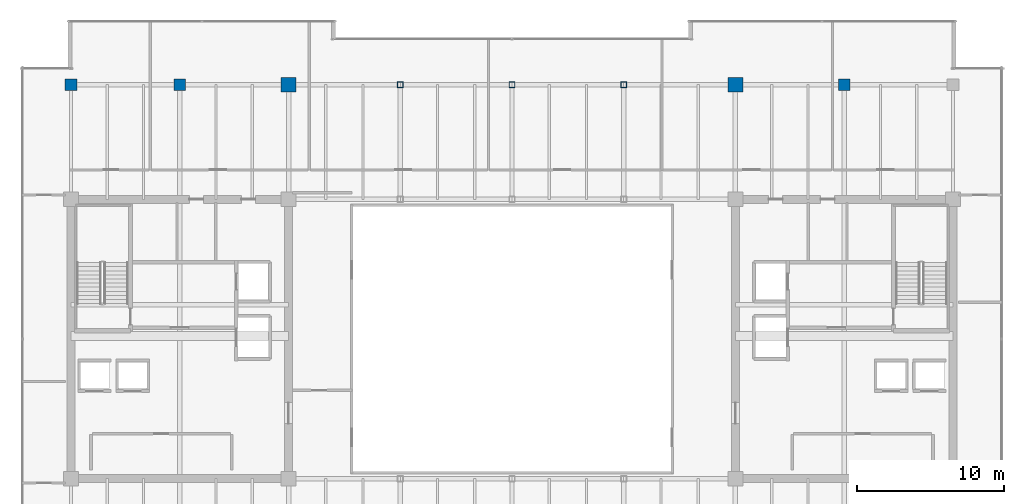
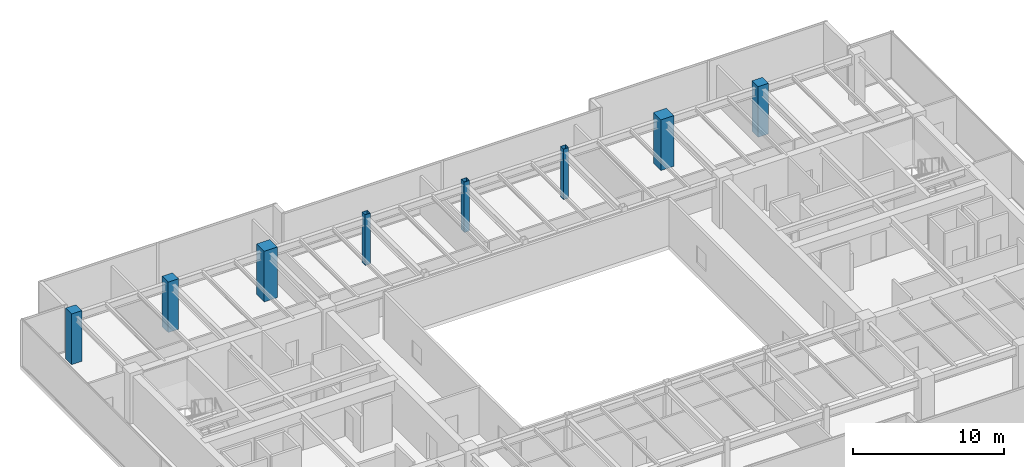
# One storey, part 3 of 33: 8 columns.
"""IFC4 building model written with IfcOpenShell, lengths in metres."""

import ifcopenshell
import ifcopenshell.guid

model = None  # the IFC model being written
_history = None  # IfcOwnerHistory: only IFC2X3 demands one
_inside = {}  # id of a spatial element -> (the spatial element, [elements in it])
_under = {}  # id of a project, library or spatial element -> (it, [spatial elements below it])
_declared = {}  # id of a project -> (the project, [libraries it declares])
_typed = {}  # id of a type object -> (the type object, [elements of that type])
_made_of = {}  # id of a material, layer set ... -> (it, [elements and type objects made of it])


def new_model(schema):
    """Start an empty IFC model of exactly this schema.

    Asked for "IFC4X3", IfcOpenShell would pick the latest addendum, in which some entities
    have other attributes; the version numbers below select the first issue.
    IFC2X3 requires an IfcOwnerHistory on every rooted entity: one is made here for all.
    """
    global model, _history
    if schema == "IFC4X3":
        model = ifcopenshell.file(schema_version=(4, 3, 0, 0))
    else:
        model = ifcopenshell.file(schema=schema)
    _inside.clear()
    _under.clear()
    _declared.clear()
    _typed.clear()
    _made_of.clear()
    _history = None
    if model.schema == "IFC2X3":
        org = make("IfcOrganization", Name="unknown")
        user = make(
            "IfcPersonAndOrganization",
            ThePerson=make("IfcPerson", FamilyName="unknown"),
            TheOrganization=org,
        )
        app = make(
            "IfcApplication",
            ApplicationDeveloper=org,
            Version="unknown",
            ApplicationFullName="unknown",
            ApplicationIdentifier="unknown",
        )
        _history = make(
            "IfcOwnerHistory",
            OwningUser=user,
            OwningApplication=app,
            ChangeAction="ADDED",
            CreationDate=0,
        )
    return model


def make(cls, **values):
    """One entity of the class cls with the attributes given. An attribute that is None is left unset."""
    return model.create_entity(
        cls, **{name: value for name, value in values.items() if value is not None}
    )


def rooted(cls, **values):
    """An entity with a GlobalId (a new one), such as an element, a storey or a relation."""
    return make(cls, GlobalId=ifcopenshell.guid.new(), OwnerHistory=_history, **values)


def si_unit(unit_type, name, prefix=None):
    """IfcSIUnit, for example si_unit("LENGTHUNIT", "METRE", prefix="MILLI")."""
    return make("IfcSIUnit", UnitType=unit_type, Prefix=prefix, Name=name)


def assignment(units):
    """IfcUnitAssignment: the units of a project."""
    return None if units is None else make("IfcUnitAssignment", Units=units)


def point(xyz):
    """IfcCartesianPoint."""
    return None if xyz is None else make("IfcCartesianPoint", Coordinates=xyz)


def direction(xyz):
    """IfcDirection."""
    return None if xyz is None else make("IfcDirection", DirectionRatios=xyz)


def frame(location, z_axis=None, x_axis=None):
    """IfcAxis2Placement3D, a coordinate frame: its origin and axes. An axis left out is left unset."""
    return make(
        "IfcAxis2Placement3D",
        Location=point(location),
        Axis=direction(z_axis),
        RefDirection=direction(x_axis),
    )


def frame_2d(location, x_axis=None):
    """IfcAxis2Placement2D, a coordinate frame in the plane: its origin and x axis."""
    return make(
        "IfcAxis2Placement2D", Location=point(location), RefDirection=direction(x_axis)
    )


def origin():
    """The frame at (0, 0, 0) with its axes left unset."""
    return frame((0.0, 0.0, 0.0))


def origin_2d():
    """The frame at (0, 0) in the plane with its x axis left unset."""
    return frame_2d((0.0, 0.0))


def place(relative_to, where):
    """IfcLocalPlacement: puts the frame where relative to a parent placement (None: the world)."""
    return make(
        "IfcLocalPlacement", PlacementRelTo=relative_to, RelativePlacement=where
    )


def context(
    kind, dimensions, precision=None, world=None, true_north=None, identifier=None
):
    """IfcGeometricRepresentationContext, for example the 3D "Model" context."""
    return make(
        "IfcGeometricRepresentationContext",
        ContextIdentifier=identifier,
        ContextType=kind,
        CoordinateSpaceDimension=dimensions,
        Precision=precision,
        WorldCoordinateSystem=world,
        TrueNorth=true_north,
    )


def subcontext(parent, identifier, kind, view, scale=None):
    """IfcGeometricRepresentationSubContext, for example "Body" below "Model"."""
    return make(
        "IfcGeometricRepresentationSubContext",
        ContextIdentifier=identifier,
        ContextType=kind,
        ParentContext=parent,
        TargetScale=scale,
        TargetView=view,
    )


def project(units=None, contexts=None):
    """IfcProject with its units and contexts."""
    return rooted(
        "IfcProject",
        Name="project",
        RepresentationContexts=contexts,
        UnitsInContext=assignment(units),
    )


def spatial(cls, under=None, at=None, **own):
    """A site, building, storey or space (cls), placed at a placement, below another one or the project."""
    s = rooted(cls, ObjectPlacement=at, **own)
    if under is not None:
        _under.setdefault(under.id(), (under, []))[1].append(s)
    return s


def profile(cls, at=None, kind="AREA", **sizes):
    """A parametric profile (cls). Its sizes go by their IFC names, for example OverallWidth=200.0."""
    return make(cls, ProfileType=kind, Position=at, **sizes)


def rectangle(**sizes):
    """IfcRectangleProfileDef."""
    return profile("IfcRectangleProfileDef", **sizes)


def hollow_rectangle(**sizes):
    """IfcRectangleHollowProfileDef."""
    return profile("IfcRectangleHollowProfileDef", **sizes)


def extrude(swept, where, along, depth):
    """IfcExtrudedAreaSolid: the profile swept, set in the frame where, extruded along a direction by depth."""
    return make(
        "IfcExtrudedAreaSolid",
        SweptArea=swept,
        Position=where,
        ExtrudedDirection=direction(along),
        Depth=depth,
    )


def shape(context_of_items, identifier, shape_type, items):
    """IfcShapeRepresentation: the items that make up one representation, for example the "Body"."""
    return make(
        "IfcShapeRepresentation",
        ContextOfItems=context_of_items,
        RepresentationIdentifier=identifier,
        RepresentationType=shape_type,
        Items=items,
    )


def source(mapping_origin, context_of_items, identifier, shape_type, items):
    """IfcRepresentationMap: a shape defined once, which mapped items show again and again."""
    return make(
        "IfcRepresentationMap",
        MappingOrigin=mapping_origin,
        MappedRepresentation=shape(context_of_items, identifier, shape_type, items),
    )


def transform(
    local_origin,
    x_axis=None,
    y_axis=None,
    z_axis=None,
    scale=None,
    scale2=None,
    scale3=None,
    uniform=True,
):
    """IfcCartesianTransformationOperator3D, or its non-uniform kind. x_axis, y_axis, z_axis: its Axis1, 2, 3."""
    if uniform:
        return make(
            "IfcCartesianTransformationOperator3D",
            Axis1=direction(x_axis),
            Axis2=direction(y_axis),
            LocalOrigin=point(local_origin),
            Scale=scale,
            Axis3=direction(z_axis),
        )
    return make(
        "IfcCartesianTransformationOperator3DnonUniform",
        Axis1=direction(x_axis),
        Axis2=direction(y_axis),
        LocalOrigin=point(local_origin),
        Scale=scale,
        Axis3=direction(z_axis),
        Scale2=scale2,
        Scale3=scale3,
    )


def mapped(mapping_source, mapping_target):
    """IfcMappedItem: shows the shape of a source again, moved by a transform."""
    return make(
        "IfcMappedItem", MappingSource=mapping_source, MappingTarget=mapping_target
    )


def material(Name=None, Category=None):
    """IfcMaterial."""
    return make("IfcMaterial", Name=Name, Category=Category)


def material_profile(
    of_material, cross_section, Name=None, Category=None, Priority=None
):
    """IfcMaterialProfile: a cross section and its material."""
    return make(
        "IfcMaterialProfile",
        Name=Name,
        Material=of_material,
        Profile=cross_section,
        Priority=Priority,
        Category=Category,
    )


def profile_set(profiles, Name=None, composite=None):
    """IfcMaterialProfileSet."""
    return make(
        "IfcMaterialProfileSet",
        Name=Name,
        MaterialProfiles=profiles,
        CompositeProfile=composite,
    )


def made_of(thing, what):
    """Note that an element or type object is made of a material, layer set ...; save() writes the relation."""
    if what is not None:
        _made_of.setdefault(what.id(), (what, []))[1].append(thing)
    return thing


def type_object(cls, material=None, **own):
    """A type object (cls), such as IfcWallType, which elements share."""
    return made_of(rooted(cls, **own), material)


def type_shapes(of_type, sources):
    """Give a type object the sources (RepresentationMaps) that its elements show as mapped items."""
    of_type.RepresentationMaps = sources


def element(
    cls,
    number,
    at=None,
    inside=None,
    cuts=None,
    type_object=None,
    material=None,
    context=None,
    identifier="Body",
    shape_type=None,
    held_by="IfcProductDefinitionShape",
    body=None,
    shapes=None,
    **own,
):
    """One element of the class cls, such as IfcWall. Its Tag is "e" and its number.

    at: its placement. inside: the storey or other place that contains it. cuts: it is an
    opening in that element (IfcRelVoidsElement). A single representation is given by context,
    identifier, shape_type and body (its items); several are given by shapes. held_by: the class
    of the entity that holds the representations. save() writes the other relations.
    """
    e = rooted(cls, Tag="e%d" % number, ObjectPlacement=at, **own)
    if body is not None:
        shapes = [shape(context, identifier, shape_type, body)]
    if shapes is not None:
        e.Representation = make(held_by, Representations=shapes)
    if inside is not None:
        _inside.setdefault(inside.id(), (inside, []))[1].append(e)
    if cuts is not None:
        rooted(
            "IfcRelVoidsElement", RelatingBuildingElement=cuts, RelatedOpeningElement=e
        )
    if type_object is not None:
        _typed.setdefault(type_object.id(), (type_object, []))[1].append(e)
    return made_of(e, material)


def aggregate(whole, parts):
    """IfcRelAggregates: a whole, such as a stair, and the parts it consists of."""
    return rooted("IfcRelAggregates", RelatingObject=whole, RelatedObjects=parts)


def save(model, path):
    """Write the relations noted so far, then the file.

    IfcRelAggregates (storeys below a building ...), IfcRelContainedInSpatialStructure (elements
    in a storey), IfcRelDefinesByType, IfcRelAssociatesMaterial and IfcRelDeclares: one each for
    every whole, place, type object, material and project.
    """
    for whole, parts in _under.values():
        aggregate(whole, parts)
    for where, things in _inside.values():
        rooted(
            "IfcRelContainedInSpatialStructure",
            RelatedElements=things,
            RelatingStructure=where,
        )
    for kind, things in _typed.values():
        rooted("IfcRelDefinesByType", RelatedObjects=things, RelatingType=kind)
    for what, things in _made_of.values():
        rooted("IfcRelAssociatesMaterial", RelatedObjects=things, RelatingMaterial=what)
    for by, libraries in _declared.values():
        rooted("IfcRelDeclares", RelatingContext=by, RelatedDefinitions=libraries)
    model.write(path)


model = new_model("IFC4")

# Units and contexts
model_context = context("Model", 3, precision=1e-05, world=origin(), true_north=direction((0.0, 1.0)))
body_context = subcontext(model_context, "Body", "Model", "MODEL_VIEW")
ifc_project = project(units=[si_unit("LENGTHUNIT", "METRE"), si_unit("AREAUNIT", "SQUARE_METRE"), si_unit("VOLUMEUNIT", "CUBIC_METRE"), si_unit("PLANEANGLEUNIT", "RADIAN"), si_unit("MASSUNIT", "GRAM", prefix="KILO")], contexts=[model_context])

# Site, building, storey
site_placement = place(None, origin())
site = spatial("IfcSite", under=ifc_project, at=site_placement, CompositionType="ELEMENT")
building_placement = place(site_placement, origin())
building = spatial("IfcBuilding", under=site, at=building_placement, Name="Haelvirn Gate Laboratories", CompositionType="ELEMENT")
storey_placement = place(building_placement, frame((0.0, 0.0, 230.10009765625)))
storey = spatial("IfcBuildingStorey", under=building, at=storey_placement, Name="L55", CompositionType="ELEMENT", Elevation=230.10009765625)

# Columns
ifc_material_1 = material(Name="Concrete C60/75", Category="concrete")
ifc_material_profile_1 = material_profile(ifc_material_1, rectangle(XDim=1.0, YDim=1.0, at=origin_2d()), Name="RC-1000x1000")
ifc_profile_set_1 = profile_set([ifc_material_profile_1], Name="Concrete C60/75")
column_type_1 = type_object("IfcColumnType", Name="COL-RC-1000", PredefinedType="COLUMN", material=ifc_profile_set_1)
shared_shape_1 = source(origin(), body_context, "Body", "SweptSolid", [
    extrude(rectangle(XDim=1.0, YDim=1.0, at=origin_2d()), origin(), (0.0, 0.0, 1.0), 4.099853515625),
])
type_shapes(column_type_1, [shared_shape_1])
for number, where, z_axis, x_axis, name in (
    (1, (22.199951171875, 41.60009765625, 0.0), (0.0, 0.0, 1.0), (1.0, 0.0, 0.0), "L55 Column 4G"),
    (2, (52.60009765625, 41.60009765625, 0.0), (0.0, 0.0, 1.0), (1.0, 0.0, 0.0), "L55 Column 8G"),
):
    element("IfcColumn", number, at=place(storey_placement, frame(where, z_axis=z_axis, x_axis=x_axis)), inside=storey, type_object=column_type_1, Name=name, PredefinedType="COLUMN", context=body_context, shape_type="MappedRepresentation", body=[
        mapped(shared_shape_1, transform((0.0, 0.0, 0.0), scale=1.0)),
    ])
ifc_material_2 = material(Name="Concrete C50/60", Category="concrete")
ifc_material_profile_2 = material_profile(ifc_material_2, rectangle(XDim=0.800048828125, YDim=0.800048828125, at=origin_2d()), Name="RC-800x800")
ifc_profile_set_2 = profile_set([ifc_material_profile_2], Name="Concrete C50/60")
column_type_2 = type_object("IfcColumnType", Name="COL-RC-800", PredefinedType="COLUMN", material=ifc_profile_set_2)
shared_shape_2 = source(origin(), body_context, "Body", "SweptSolid", [
    extrude(rectangle(XDim=0.800048828125, YDim=0.800048828125, at=origin_2d()), origin(), (0.0, 0.0, 1.0), 4.099853515625),
])
type_shapes(column_type_2, [shared_shape_2])
for number, where, z_axis, x_axis, name in (
    (3, (14.800048828125, 41.60009765625, 0.0), (0.0, 0.0, 1.0), (1.0, 0.0, 0.0), "L55 Column 3G"),
    (4, (60.0, 41.60009765625, 0.0), (0.0, 0.0, 1.0), (1.0, 0.0, 0.0), "L55 Column 9G"),
    (5, (7.39990234375, 41.60009765625, 0.0), (0.0, 0.0, 1.0), (1.0, 0.0, 0.0), "L55 Column 2G"),
):
    element("IfcColumn", number, at=place(storey_placement, frame(where, z_axis=z_axis, x_axis=x_axis)), inside=storey, type_object=column_type_2, Name=name, PredefinedType="COLUMN", context=body_context, shape_type="MappedRepresentation", body=[
        mapped(shared_shape_2, transform((0.0, 0.0, 0.0), scale=1.0)),
    ])
ifc_material_3 = material(Name="Steel SM355", Category="steel")
ifc_material_profile_3 = material_profile(ifc_material_3, hollow_rectangle(XDim=0.39990234375, YDim=0.39990234375, WallThickness=0.01904296875, at=origin_2d()), Name="BOX-400x400x19")
ifc_profile_set_3 = profile_set([ifc_material_profile_3], Name="Steel SM355")
column_type_3 = type_object("IfcColumnType", Name="COL-BOX-400", PredefinedType="COLUMN", material=ifc_profile_set_3)
shared_shape_3 = source(origin(), body_context, "Body", "SweptSolid", [
    extrude(hollow_rectangle(XDim=0.39990234375, YDim=0.39990234375, WallThickness=0.01904296875, at=origin_2d()), origin(), (0.0, 0.0, 1.0), 4.099853515625),
])
type_shapes(column_type_3, [shared_shape_3])
for number, where, z_axis, x_axis, name in (
    (6, (29.800048828125, 41.60009765625, 0.0), (0.0, 0.0, 1.0), (1.0, 0.0, 0.0), "L55 Column 5G"),
    (7, (37.39990234375, 41.60009765625, 0.0), (0.0, 0.0, 1.0), (1.0, 0.0, 0.0), "L55 Column 6G"),
    (8, (45.0, 41.60009765625, 0.0), (0.0, 0.0, 1.0), (1.0, 0.0, 0.0), "L55 Column 7G"),
):
    element("IfcColumn", number, at=place(storey_placement, frame(where, z_axis=z_axis, x_axis=x_axis)), inside=storey, type_object=column_type_3, Name=name, PredefinedType="COLUMN", context=body_context, shape_type="MappedRepresentation", body=[
        mapped(shared_shape_3, transform((0.0, 0.0, 0.0), scale=1.0)),
    ])

save(model, "model.ifc")
